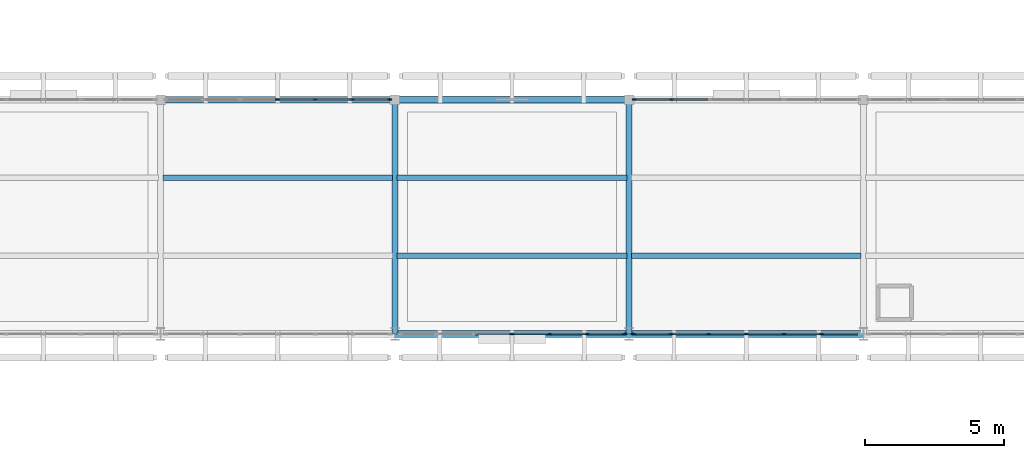
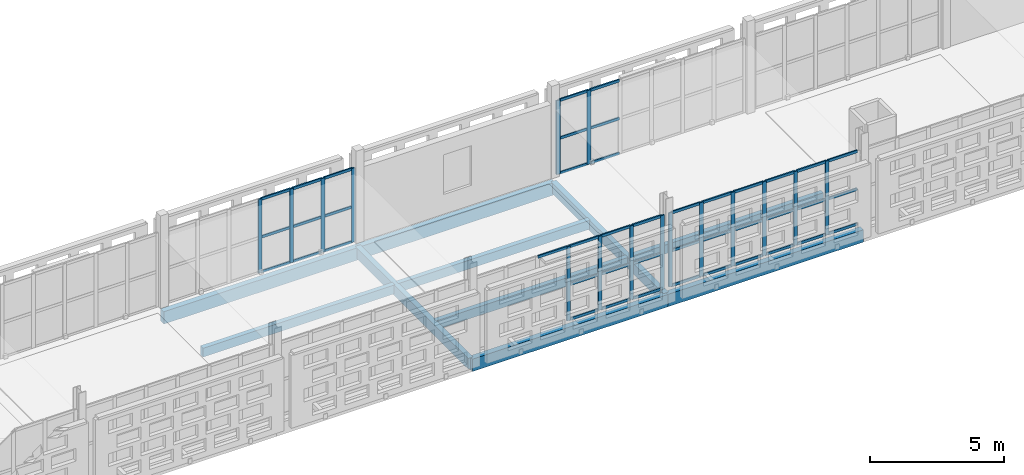
# One storey, part 54 of 140: 59 members, 10 beams, 4 elements without a shape of their own.
"""IFC4 building model written with IfcOpenShell, lengths in metres."""

from ifc_helpers import new_model, si_unit, direction, frame, origin, origin_2d, place, context, subcontext, project, spatial, rectangle, extrude, material, layer, layer_set, material_profile, profile_set, type_object, element, aggregate, save


model = new_model("IFC4")

# Units and contexts
model_context = context("Model", 3, precision=1e-05, world=origin(), true_north=direction((0.0, 1.0)))
body_context = subcontext(model_context, "Body", "Model", "MODEL_VIEW")
ifc_project = project(units=[si_unit("LENGTHUNIT", "METRE"), si_unit("AREAUNIT", "SQUARE_METRE"), si_unit("VOLUMEUNIT", "CUBIC_METRE"), si_unit("PLANEANGLEUNIT", "RADIAN"), si_unit("MASSUNIT", "GRAM", prefix="KILO")], contexts=[model_context])

# Site, building, storey
site_placement = place(None, origin())
site = spatial("IfcSite", under=ifc_project, at=site_placement, CompositionType="ELEMENT")
building_placement = place(site_placement, origin())
building = spatial("IfcBuilding", under=site, at=building_placement, Name="Varnapada Polytechnic", CompositionType="ELEMENT")
storey_placement = place(building_placement, frame((0.0, 0.0, 13.800048828125)))
storey = spatial("IfcBuildingStorey", under=building, at=storey_placement, Name="L03", CompositionType="ELEMENT", Elevation=13.800048828125)

# Beams
ifc_material_1 = material(Name="Glulam GL32h", Category="wood")
ifc_material_profile_1 = material_profile(ifc_material_1, rectangle(XDim=0.199951171875, YDim=0.39990234375, at=origin_2d()), Name="GL 200x400")
ifc_profile_set_1 = profile_set([ifc_material_profile_1], Name="Glulam GL32h")
beam_type_1 = type_object("IfcBeamType", Name="Library/laboratory glulam floor joist GJ-01 (GL 200x400)", PredefinedType="JOIST", material=ifc_profile_set_1)
for number, where, z_axis, x_axis, name in (
    (1, (75.679931640625, 89.60009765625, -0.43994140625), (1.0, 0.0, 0.0), (0.0, 1.0, 0.0), "L03 floor joist 10/11.2"),
    (2, (84.080078125, 86.800048828125, -0.43994140625), (1.0, 0.0, 0.0), (0.0, 1.0, 0.0), "L03 floor joist 11/11.1"),
    (3, (84.080078125, 89.60009765625, -0.43994140625), (1.0, 0.0, 0.0), (0.0, 1.0, 0.0), "L03 floor joist 11/11.2"),
    (4, (92.47998046875, 86.800048828125, -0.43994140625), (1.0, 0.0, 0.0), (0.0, 1.0, 0.0), "L03 floor joist 12/11.1"),
):
    element("IfcBeam", number, at=place(storey_placement, frame(where, z_axis=z_axis, x_axis=x_axis)), inside=storey, type_object=beam_type_1, Name=name, PredefinedType="JOIST", context=body_context, shape_type="SweptSolid", body=[
        extrude(rectangle(XDim=0.199951171875, YDim=0.39990234375, at=origin_2d()), origin(), (0.0, 0.0, 1.0), 8.239990234375),
    ])

# Curtain wall, members
ifc_material_2 = material(Name="Double low-E laminated glass", Category="glass")
ifc_layer_1 = layer(ifc_material_2, 0.159912109375)
ifc_layer_set_1 = layer_set([ifc_layer_1], Name="Double low-E laminated glass")
curtain_wall_type_1 = type_object("IfcCurtainWallType", Name="Curtain Wall CW-02", PredefinedType="NOTDEFINED", material=ifc_layer_set_1)
curtain_wall_1_placement = place(storey_placement, origin())
curtain_wall_1 = element("IfcCurtainWall", 5, at=curtain_wall_1_placement, inside=storey, type_object=curtain_wall_type_1, Name="L03 unitised curtain wall CW-02 (237)", PredefinedType="NOTDEFINED")
ifc_material_3 = material(Name="Anodised aluminium", Category="aluminium")
ifc_material_profile_2 = material_profile(ifc_material_3, rectangle(XDim=0.06005859375, YDim=0.159912109375, at=origin_2d()), Name="ALU M60x160")
ifc_profile_set_2 = profile_set([ifc_material_profile_2], Name="Anodised aluminium")
member_type_1 = type_object("IfcMemberType", Name="Mullion M-01", PredefinedType="MULLION", material=ifc_profile_set_2)
member_1_placement = place(storey_placement, frame((79.800048828125, 92.39990234375, 0.0), z_axis=(0.0, 0.0, 1.0), x_axis=(0.0, 1.0, 0.0)))
member_1 = element("IfcMember", 6, at=member_1_placement, type_object=member_type_1, Name="CW-02 mullion 4", PredefinedType="MULLION", context=body_context, shape_type="SweptSolid", body=[
    extrude(rectangle(XDim=0.06005859375, YDim=0.159912109375, at=origin_2d()), origin(), (0.0, 0.0, 1.0), 3.35986328125),
])
member_2_placement = place(storey_placement, frame((81.143310546875, 92.39990234375, 0.0), z_axis=(0.0, 0.0, 1.0), x_axis=(0.0, 1.0, 0.0)))
member_2 = element("IfcMember", 7, at=member_2_placement, type_object=member_type_1, Name="CW-02 mullion 5", PredefinedType="MULLION", context=body_context, shape_type="SweptSolid", body=[
    extrude(rectangle(XDim=0.06005859375, YDim=0.159912109375, at=origin_2d()), origin(), (0.0, 0.0, 1.0), 3.35986328125),
])
member_3_placement = place(storey_placement, frame((82.486572265625, 92.39990234375, 0.0), z_axis=(0.0, 0.0, 1.0), x_axis=(0.0, 1.0, 0.0)))
member_3 = element("IfcMember", 8, at=member_3_placement, type_object=member_type_1, Name="CW-02 mullion 6", PredefinedType="MULLION", context=body_context, shape_type="SweptSolid", body=[
    extrude(rectangle(XDim=0.06005859375, YDim=0.159912109375, at=origin_2d()), origin(), (0.0, 0.0, 1.0), 3.35986328125),
])
member_4_placement = place(storey_placement, frame((83.800048828125, 92.39990234375, 0.0), z_axis=(0.0, 0.0, 1.0), x_axis=(0.0, 1.0, 0.0)))
member_4 = element("IfcMember", 9, at=member_4_placement, type_object=member_type_1, Name="CW-02 mullion 7", PredefinedType="MULLION", context=body_context, shape_type="SweptSolid", body=[
    extrude(rectangle(XDim=0.06005859375, YDim=0.159912109375, at=origin_2d()), origin(), (0.0, 0.0, 1.0), 3.35986328125),
])

ifc_layer_2 = layer(ifc_material_2, 0.159912109375)
ifc_layer_set_2 = layer_set([ifc_layer_2], Name="Double low-E laminated glass")
curtain_wall_type_2 = type_object("IfcCurtainWallType", Name="Curtain Wall CW-01", PredefinedType="NOTDEFINED", material=ifc_layer_set_2)
curtain_wall_2_placement = place(storey_placement, origin())
curtain_wall_2 = element("IfcCurtainWall", 10, at=curtain_wall_2_placement, inside=storey, type_object=curtain_wall_type_2, Name="L03 unitised curtain wall CW-01 (238)", PredefinedType="NOTDEFINED")
member_5_placement = place(storey_placement, frame((92.219970703125, 84.0, 0.0), z_axis=(0.0, 0.0, 1.0), x_axis=(0.0, -1.0, 0.0)))
member_5 = element("IfcMember", 11, at=member_5_placement, type_object=member_type_1, Name="CW-01 mullion 1", PredefinedType="MULLION", context=body_context, shape_type="SweptSolid", body=[
    extrude(rectangle(XDim=0.06005859375, YDim=0.159912109375, at=origin_2d()), origin(), (0.0, 0.0, 1.0), 3.35986328125),
])
member_6_placement = place(storey_placement, frame((90.89990234375, 84.0, 0.0), z_axis=(0.0, 0.0, 1.0), x_axis=(0.0, -1.0, 0.0)))
member_6 = element("IfcMember", 12, at=member_6_placement, type_object=member_type_1, Name="CW-01 mullion 2", PredefinedType="MULLION", context=body_context, shape_type="SweptSolid", body=[
    extrude(rectangle(XDim=0.06005859375, YDim=0.159912109375, at=origin_2d()), origin(), (0.0, 0.0, 1.0), 3.35986328125),
])
member_7_placement = place(storey_placement, frame((89.550048828125, 84.0, 0.0), z_axis=(0.0, 0.0, 1.0), x_axis=(0.0, -1.0, 0.0)))
member_7 = element("IfcMember", 13, at=member_7_placement, type_object=member_type_1, Name="CW-01 mullion 3", PredefinedType="MULLION", context=body_context, shape_type="SweptSolid", body=[
    extrude(rectangle(XDim=0.06005859375, YDim=0.159912109375, at=origin_2d()), origin(), (0.0, 0.0, 1.0), 3.35986328125),
])
member_8_placement = place(storey_placement, frame((88.199951171875, 84.0, 0.0), z_axis=(0.0, 0.0, 1.0), x_axis=(0.0, -1.0, 0.0)))
member_8 = element("IfcMember", 14, at=member_8_placement, type_object=member_type_1, Name="CW-01 mullion 4", PredefinedType="MULLION", context=body_context, shape_type="SweptSolid", body=[
    extrude(rectangle(XDim=0.06005859375, YDim=0.159912109375, at=origin_2d()), origin(), (0.0, 0.0, 1.0), 3.35986328125),
])

curtain_wall_3_placement = place(storey_placement, origin())
curtain_wall_3 = element("IfcCurtainWall", 15, at=curtain_wall_3_placement, inside=storey, type_object=curtain_wall_type_2, Name="L03 unitised curtain wall CW-01 (239)", PredefinedType="NOTDEFINED")
member_9_placement = place(storey_placement, frame((99.300048828125, 84.0, 0.0), z_axis=(0.0, 0.0, 1.0), x_axis=(0.0, -1.0, 0.0)))
member_9 = element("IfcMember", 16, at=member_9_placement, type_object=member_type_1, Name="CW-01 mullion 2", PredefinedType="MULLION", context=body_context, shape_type="SweptSolid", body=[
    extrude(rectangle(XDim=0.06005859375, YDim=0.159912109375, at=origin_2d()), origin(), (0.0, 0.0, 1.0), 3.35986328125),
])
member_10_placement = place(storey_placement, frame((97.949951171875, 84.0, 0.0), z_axis=(0.0, 0.0, 1.0), x_axis=(0.0, -1.0, 0.0)))
member_10 = element("IfcMember", 17, at=member_10_placement, type_object=member_type_1, Name="CW-01 mullion 3", PredefinedType="MULLION", context=body_context, shape_type="SweptSolid", body=[
    extrude(rectangle(XDim=0.06005859375, YDim=0.159912109375, at=origin_2d()), origin(), (0.0, 0.0, 1.0), 3.35986328125),
])
member_11_placement = place(storey_placement, frame((96.60009765625, 84.0, 0.0), z_axis=(0.0, 0.0, 1.0), x_axis=(0.0, -1.0, 0.0)))
member_11 = element("IfcMember", 18, at=member_11_placement, type_object=member_type_1, Name="CW-01 mullion 4", PredefinedType="MULLION", context=body_context, shape_type="SweptSolid", body=[
    extrude(rectangle(XDim=0.06005859375, YDim=0.159912109375, at=origin_2d()), origin(), (0.0, 0.0, 1.0), 3.35986328125),
])
member_12_placement = place(storey_placement, frame((95.25, 84.0, 0.0), z_axis=(0.0, 0.0, 1.0), x_axis=(0.0, -1.0, 0.0)))
member_12 = element("IfcMember", 19, at=member_12_placement, type_object=member_type_1, Name="CW-01 mullion 5", PredefinedType="MULLION", context=body_context, shape_type="SweptSolid", body=[
    extrude(rectangle(XDim=0.06005859375, YDim=0.159912109375, at=origin_2d()), origin(), (0.0, 0.0, 1.0), 3.35986328125),
])
member_13_placement = place(storey_placement, frame((93.89990234375, 84.0, 0.0), z_axis=(0.0, 0.0, 1.0), x_axis=(0.0, -1.0, 0.0)))
member_13 = element("IfcMember", 20, at=member_13_placement, type_object=member_type_1, Name="CW-01 mullion 6", PredefinedType="MULLION", context=body_context, shape_type="SweptSolid", body=[
    extrude(rectangle(XDim=0.06005859375, YDim=0.159912109375, at=origin_2d()), origin(), (0.0, 0.0, 1.0), 3.35986328125),
])
member_14_placement = place(storey_placement, frame((92.580078125, 84.0, 0.0), z_axis=(0.0, 0.0, 1.0), x_axis=(0.0, -1.0, 0.0)))
member_14 = element("IfcMember", 21, at=member_14_placement, type_object=member_type_1, Name="CW-01 mullion 7", PredefinedType="MULLION", context=body_context, shape_type="SweptSolid", body=[
    extrude(rectangle(XDim=0.06005859375, YDim=0.159912109375, at=origin_2d()), origin(), (0.0, 0.0, 1.0), 3.35986328125),
])

curtain_wall_4_placement = place(storey_placement, origin())
curtain_wall_4 = element("IfcCurtainWall", 22, at=curtain_wall_4_placement, inside=storey, type_object=curtain_wall_type_1, Name="L03 unitised curtain wall CW-02 (240)", PredefinedType="NOTDEFINED")
member_15_placement = place(storey_placement, frame((92.60009765625, 92.39990234375, 0.0), z_axis=(0.0, 0.0, 1.0), x_axis=(0.0, 1.0, 0.0)))
member_15 = element("IfcMember", 23, at=member_15_placement, type_object=member_type_1, Name="CW-02 mullion 1", PredefinedType="MULLION", context=body_context, shape_type="SweptSolid", body=[
    extrude(rectangle(XDim=0.06005859375, YDim=0.159912109375, at=origin_2d()), origin(), (0.0, 0.0, 1.0), 3.35986328125),
])
member_16_placement = place(storey_placement, frame((93.913330078125, 92.39990234375, 0.0), z_axis=(0.0, 0.0, 1.0), x_axis=(0.0, 1.0, 0.0)))
member_16 = element("IfcMember", 24, at=member_16_placement, type_object=member_type_1, Name="CW-02 mullion 2", PredefinedType="MULLION", context=body_context, shape_type="SweptSolid", body=[
    extrude(rectangle(XDim=0.06005859375, YDim=0.159912109375, at=origin_2d()), origin(), (0.0, 0.0, 1.0), 3.35986328125),
])

# Beams
ifc_material_profile_3 = material_profile(ifc_material_1, rectangle(XDim=0.239990234375, YDim=0.56005859375, at=origin_2d()), Name="GL 240x560")
ifc_profile_set_3 = profile_set([ifc_material_profile_3], Name="Glulam GL32h")
beam_type_2 = type_object("IfcBeamType", Name="Perimeter glulam spandrel beam SP-02 (GL 240x560)", PredefinedType="SPANDREL", material=ifc_profile_set_3)
for number, where, z_axis, x_axis, name in (
    (25, (75.60009765625, 92.39990234375, -0.52001953125), (1.0, 0.0, 0.0), (0.0, 1.0, 0.0), "L03 beam X 10-11 at Y12"),
    (26, (84.0, 84.0, -0.52001953125), (1.0, 0.0, 0.0), (0.0, 1.0, 0.0), "L03 beam X 11-12 at Y11"),
    (27, (84.0, 92.39990234375, -0.52001953125), (1.0, 0.0, 0.0), (0.0, 1.0, 0.0), "L03 beam X 11-12 at Y12"),
):
    element("IfcBeam", number, at=place(storey_placement, frame(where, z_axis=z_axis, x_axis=x_axis)), inside=storey, type_object=beam_type_2, Name=name, PredefinedType="SPANDREL", context=body_context, shape_type="SweptSolid", body=[
        extrude(rectangle(XDim=0.239990234375, YDim=0.56005859375, at=origin_2d()), origin(), (0.0, 0.0, 1.0), 8.39990234375),
    ])
beam_placement = place(storey_placement, frame((92.39990234375, 84.0, -0.52001953125), z_axis=(1.0, 0.0, 0.0), x_axis=(0.0, 1.0, 0.0)))
element("IfcBeam", 28, at=beam_placement, inside=storey, type_object=beam_type_2, Name="L03 beam X 12-13 at Y11", PredefinedType="SPANDREL", context=body_context, shape_type="SweptSolid", body=[
    extrude(rectangle(XDim=0.239990234375, YDim=0.56005859375, at=origin_2d()), origin(), (0.0, 0.0, 1.0), 8.400146484375),
])

# Member
ifc_material_profile_4 = material_profile(ifc_material_3, rectangle(XDim=0.06005859375, YDim=0.1201171875, at=origin_2d()), Name="ALU T60x120")
ifc_profile_set_4 = profile_set([ifc_material_profile_4], Name="Anodised aluminium")
member_type_2 = type_object("IfcMemberType", Name="Transom T-01", PredefinedType="USERDEFINED", material=ifc_profile_set_4)
member_17_placement = place(storey_placement, frame((79.830078125, 92.39990234375, 0.030029296875), z_axis=(1.0, 0.0, 0.0), x_axis=(0.0, 1.0, 0.0)))
member_17 = element("IfcMember", 29, at=member_17_placement, type_object=member_type_2, Name="CW-02 transom 4.1", ObjectType="TRANSOM", PredefinedType="USERDEFINED", context=body_context, shape_type="SweptSolid", body=[
    extrude(rectangle(XDim=0.06005859375, YDim=0.1201171875, at=origin_2d()), origin(), (0.0, 0.0, 1.0), 1.283203125),
])

member_18_placement = place(storey_placement, frame((79.830078125, 92.39990234375, 1.61279296875), z_axis=(1.0, 0.0, 0.0), x_axis=(0.0, 1.0, 0.0)))
member_18 = element("IfcMember", 30, at=member_18_placement, type_object=member_type_2, Name="CW-02 transom 4.2", ObjectType="TRANSOM", PredefinedType="USERDEFINED", context=body_context, shape_type="SweptSolid", body=[
    extrude(rectangle(XDim=0.06005859375, YDim=0.1201171875, at=origin_2d()), origin(), (0.0, 0.0, 1.0), 1.283203125),
])

member_19_placement = place(storey_placement, frame((79.830078125, 92.39990234375, 3.329833984375), z_axis=(1.0, 0.0, 0.0), x_axis=(0.0, 1.0, 0.0)))
member_19 = element("IfcMember", 31, at=member_19_placement, type_object=member_type_2, Name="CW-02 transom 4.3", ObjectType="TRANSOM", PredefinedType="USERDEFINED", context=body_context, shape_type="SweptSolid", body=[
    extrude(rectangle(XDim=0.06005859375, YDim=0.1201171875, at=origin_2d()), origin(), (0.0, 0.0, 1.0), 1.283203125),
])

member_20_placement = place(storey_placement, frame((81.17333984375, 92.39990234375, 0.030029296875), z_axis=(1.0, 0.0, 0.0), x_axis=(0.0, 1.0, 0.0)))
member_20 = element("IfcMember", 32, at=member_20_placement, type_object=member_type_2, Name="CW-02 transom 5.1", ObjectType="TRANSOM", PredefinedType="USERDEFINED", context=body_context, shape_type="SweptSolid", body=[
    extrude(rectangle(XDim=0.06005859375, YDim=0.1201171875, at=origin_2d()), origin(), (0.0, 0.0, 1.0), 1.283447265625),
])

member_21_placement = place(storey_placement, frame((81.17333984375, 92.39990234375, 1.61279296875), z_axis=(1.0, 0.0, 0.0), x_axis=(0.0, 1.0, 0.0)))
member_21 = element("IfcMember", 33, at=member_21_placement, type_object=member_type_2, Name="CW-02 transom 5.2", ObjectType="TRANSOM", PredefinedType="USERDEFINED", context=body_context, shape_type="SweptSolid", body=[
    extrude(rectangle(XDim=0.06005859375, YDim=0.1201171875, at=origin_2d()), origin(), (0.0, 0.0, 1.0), 1.283447265625),
])

member_22_placement = place(storey_placement, frame((81.17333984375, 92.39990234375, 3.329833984375), z_axis=(1.0, 0.0, 0.0), x_axis=(0.0, 1.0, 0.0)))
member_22 = element("IfcMember", 34, at=member_22_placement, type_object=member_type_2, Name="CW-02 transom 5.3", ObjectType="TRANSOM", PredefinedType="USERDEFINED", context=body_context, shape_type="SweptSolid", body=[
    extrude(rectangle(XDim=0.06005859375, YDim=0.1201171875, at=origin_2d()), origin(), (0.0, 0.0, 1.0), 1.283447265625),
])

member_23_placement = place(storey_placement, frame((82.5166015625, 92.39990234375, 0.030029296875), z_axis=(1.0, 0.0, 0.0), x_axis=(0.0, 1.0, 0.0)))
member_23 = element("IfcMember", 35, at=member_23_placement, type_object=member_type_2, Name="CW-02 transom 6.1", ObjectType="TRANSOM", PredefinedType="USERDEFINED", context=body_context, shape_type="SweptSolid", body=[
    extrude(rectangle(XDim=0.06005859375, YDim=0.1201171875, at=origin_2d()), origin(), (0.0, 0.0, 1.0), 1.25341796875),
])

member_24_placement = place(storey_placement, frame((82.5166015625, 92.39990234375, 1.61279296875), z_axis=(1.0, 0.0, 0.0), x_axis=(0.0, 1.0, 0.0)))
member_24 = element("IfcMember", 36, at=member_24_placement, type_object=member_type_2, Name="CW-02 transom 6.2", ObjectType="TRANSOM", PredefinedType="USERDEFINED", context=body_context, shape_type="SweptSolid", body=[
    extrude(rectangle(XDim=0.06005859375, YDim=0.1201171875, at=origin_2d()), origin(), (0.0, 0.0, 1.0), 1.25341796875),
])

member_25_placement = place(storey_placement, frame((82.5166015625, 92.39990234375, 3.329833984375), z_axis=(1.0, 0.0, 0.0), x_axis=(0.0, 1.0, 0.0)))
member_25 = element("IfcMember", 37, at=member_25_placement, type_object=member_type_2, Name="CW-02 transom 6.3", ObjectType="TRANSOM", PredefinedType="USERDEFINED", context=body_context, shape_type="SweptSolid", body=[
    extrude(rectangle(XDim=0.06005859375, YDim=0.1201171875, at=origin_2d()), origin(), (0.0, 0.0, 1.0), 1.25341796875),
])

aggregate(curtain_wall_1, [member_1, member_2, member_3, member_4, member_17, member_18, member_19, member_20, member_21, member_22, member_23, member_24, member_25])

member_26_placement = place(storey_placement, frame((92.18994140625, 84.0, 0.030029296875), z_axis=(-1.0, 0.0, 0.0), x_axis=(0.0, -1.0, 0.0)))
member_26 = element("IfcMember", 38, at=member_26_placement, type_object=member_type_2, Name="CW-01 transom 1.1", ObjectType="TRANSOM", PredefinedType="USERDEFINED", context=body_context, shape_type="SweptSolid", body=[
    extrude(rectangle(XDim=0.06005859375, YDim=0.1201171875, at=origin_2d()), origin(), (0.0, 0.0, 1.0), 1.260009765625),
])

member_27_placement = place(storey_placement, frame((92.18994140625, 84.0, 1.61279296875), z_axis=(-1.0, 0.0, 0.0), x_axis=(0.0, -1.0, 0.0)))
member_27 = element("IfcMember", 39, at=member_27_placement, type_object=member_type_2, Name="CW-01 transom 1.2", ObjectType="TRANSOM", PredefinedType="USERDEFINED", context=body_context, shape_type="SweptSolid", body=[
    extrude(rectangle(XDim=0.06005859375, YDim=0.1201171875, at=origin_2d()), origin(), (0.0, 0.0, 1.0), 1.260009765625),
])

member_28_placement = place(storey_placement, frame((92.18994140625, 84.0, 3.329833984375), z_axis=(-1.0, 0.0, 0.0), x_axis=(0.0, -1.0, 0.0)))
member_28 = element("IfcMember", 40, at=member_28_placement, type_object=member_type_2, Name="CW-01 transom 1.3", ObjectType="TRANSOM", PredefinedType="USERDEFINED", context=body_context, shape_type="SweptSolid", body=[
    extrude(rectangle(XDim=0.06005859375, YDim=0.1201171875, at=origin_2d()), origin(), (0.0, 0.0, 1.0), 1.260009765625),
])

member_29_placement = place(storey_placement, frame((90.8701171875, 84.0, 0.030029296875), z_axis=(-1.0, 0.0, 0.0), x_axis=(0.0, -1.0, 0.0)))
member_29 = element("IfcMember", 41, at=member_29_placement, type_object=member_type_2, Name="CW-01 transom 2.1", ObjectType="TRANSOM", PredefinedType="USERDEFINED", context=body_context, shape_type="SweptSolid", body=[
    extrude(rectangle(XDim=0.06005859375, YDim=0.1201171875, at=origin_2d()), origin(), (0.0, 0.0, 1.0), 1.2900390625),
])

member_30_placement = place(storey_placement, frame((90.8701171875, 84.0, 1.61279296875), z_axis=(-1.0, 0.0, 0.0), x_axis=(0.0, -1.0, 0.0)))
member_30 = element("IfcMember", 42, at=member_30_placement, type_object=member_type_2, Name="CW-01 transom 2.2", ObjectType="TRANSOM", PredefinedType="USERDEFINED", context=body_context, shape_type="SweptSolid", body=[
    extrude(rectangle(XDim=0.06005859375, YDim=0.1201171875, at=origin_2d()), origin(), (0.0, 0.0, 1.0), 1.2900390625),
])

member_31_placement = place(storey_placement, frame((90.8701171875, 84.0, 3.329833984375), z_axis=(-1.0, 0.0, 0.0), x_axis=(0.0, -1.0, 0.0)))
member_31 = element("IfcMember", 43, at=member_31_placement, type_object=member_type_2, Name="CW-01 transom 2.3", ObjectType="TRANSOM", PredefinedType="USERDEFINED", context=body_context, shape_type="SweptSolid", body=[
    extrude(rectangle(XDim=0.06005859375, YDim=0.1201171875, at=origin_2d()), origin(), (0.0, 0.0, 1.0), 1.2900390625),
])

member_32_placement = place(storey_placement, frame((89.52001953125, 84.0, 0.030029296875), z_axis=(-1.0, 0.0, 0.0), x_axis=(0.0, -1.0, 0.0)))
member_32 = element("IfcMember", 44, at=member_32_placement, type_object=member_type_2, Name="CW-01 transom 3.1", ObjectType="TRANSOM", PredefinedType="USERDEFINED", context=body_context, shape_type="SweptSolid", body=[
    extrude(rectangle(XDim=0.06005859375, YDim=0.1201171875, at=origin_2d()), origin(), (0.0, 0.0, 1.0), 1.2900390625),
])

member_33_placement = place(storey_placement, frame((89.52001953125, 84.0, 1.61279296875), z_axis=(-1.0, 0.0, 0.0), x_axis=(0.0, -1.0, 0.0)))
member_33 = element("IfcMember", 45, at=member_33_placement, type_object=member_type_2, Name="CW-01 transom 3.2", ObjectType="TRANSOM", PredefinedType="USERDEFINED", context=body_context, shape_type="SweptSolid", body=[
    extrude(rectangle(XDim=0.06005859375, YDim=0.1201171875, at=origin_2d()), origin(), (0.0, 0.0, 1.0), 1.2900390625),
])

member_34_placement = place(storey_placement, frame((89.52001953125, 84.0, 3.329833984375), z_axis=(-1.0, 0.0, 0.0), x_axis=(0.0, -1.0, 0.0)))
member_34 = element("IfcMember", 46, at=member_34_placement, type_object=member_type_2, Name="CW-01 transom 3.3", ObjectType="TRANSOM", PredefinedType="USERDEFINED", context=body_context, shape_type="SweptSolid", body=[
    extrude(rectangle(XDim=0.06005859375, YDim=0.1201171875, at=origin_2d()), origin(), (0.0, 0.0, 1.0), 1.2900390625),
])

member_35_placement = place(storey_placement, frame((88.169921875, 84.0, 3.329833984375), z_axis=(-1.0, 0.0, 0.0), x_axis=(0.0, -1.0, 0.0)))
member_35 = element("IfcMember", 47, at=member_35_placement, type_object=member_type_2, Name="CW-01 transom 4.3", ObjectType="TRANSOM", PredefinedType="USERDEFINED", context=body_context, shape_type="SweptSolid", body=[
    extrude(rectangle(XDim=0.06005859375, YDim=0.1201171875, at=origin_2d()), origin(), (0.0, 0.0, 1.0), 1.2900390625),
])

aggregate(curtain_wall_2, [member_5, member_6, member_7, member_8, member_26, member_27, member_28, member_29, member_30, member_31, member_32, member_33, member_34, member_35])

member_36_placement = place(storey_placement, frame((100.590087890625, 84.0, 0.030029296875), z_axis=(-1.0, 0.0, 0.0), x_axis=(0.0, -1.0, 0.0)))
member_36 = element("IfcMember", 48, at=member_36_placement, type_object=member_type_2, Name="CW-01 transom 1.1", ObjectType="TRANSOM", PredefinedType="USERDEFINED", context=body_context, shape_type="SweptSolid", body=[
    extrude(rectangle(XDim=0.06005859375, YDim=0.1201171875, at=origin_2d()), origin(), (0.0, 0.0, 1.0), 1.260009765625),
])

member_37_placement = place(storey_placement, frame((100.590087890625, 84.0, 1.61279296875), z_axis=(-1.0, 0.0, 0.0), x_axis=(0.0, -1.0, 0.0)))
member_37 = element("IfcMember", 49, at=member_37_placement, type_object=member_type_2, Name="CW-01 transom 1.2", ObjectType="TRANSOM", PredefinedType="USERDEFINED", context=body_context, shape_type="SweptSolid", body=[
    extrude(rectangle(XDim=0.06005859375, YDim=0.1201171875, at=origin_2d()), origin(), (0.0, 0.0, 1.0), 1.260009765625),
])

member_38_placement = place(storey_placement, frame((100.590087890625, 84.0, 3.329833984375), z_axis=(-1.0, 0.0, 0.0), x_axis=(0.0, -1.0, 0.0)))
member_38 = element("IfcMember", 50, at=member_38_placement, type_object=member_type_2, Name="CW-01 transom 1.3", ObjectType="TRANSOM", PredefinedType="USERDEFINED", context=body_context, shape_type="SweptSolid", body=[
    extrude(rectangle(XDim=0.06005859375, YDim=0.1201171875, at=origin_2d()), origin(), (0.0, 0.0, 1.0), 1.260009765625),
])

member_39_placement = place(storey_placement, frame((99.27001953125, 84.0, 0.030029296875), z_axis=(-1.0, 0.0, 0.0), x_axis=(0.0, -1.0, 0.0)))
member_39 = element("IfcMember", 51, at=member_39_placement, type_object=member_type_2, Name="CW-01 transom 2.1", ObjectType="TRANSOM", PredefinedType="USERDEFINED", context=body_context, shape_type="SweptSolid", body=[
    extrude(rectangle(XDim=0.06005859375, YDim=0.1201171875, at=origin_2d()), origin(), (0.0, 0.0, 1.0), 1.2900390625),
])

member_40_placement = place(storey_placement, frame((99.27001953125, 84.0, 1.61279296875), z_axis=(-1.0, 0.0, 0.0), x_axis=(0.0, -1.0, 0.0)))
member_40 = element("IfcMember", 52, at=member_40_placement, type_object=member_type_2, Name="CW-01 transom 2.2", ObjectType="TRANSOM", PredefinedType="USERDEFINED", context=body_context, shape_type="SweptSolid", body=[
    extrude(rectangle(XDim=0.06005859375, YDim=0.1201171875, at=origin_2d()), origin(), (0.0, 0.0, 1.0), 1.2900390625),
])

member_41_placement = place(storey_placement, frame((99.27001953125, 84.0, 3.329833984375), z_axis=(-1.0, 0.0, 0.0), x_axis=(0.0, -1.0, 0.0)))
member_41 = element("IfcMember", 53, at=member_41_placement, type_object=member_type_2, Name="CW-01 transom 2.3", ObjectType="TRANSOM", PredefinedType="USERDEFINED", context=body_context, shape_type="SweptSolid", body=[
    extrude(rectangle(XDim=0.06005859375, YDim=0.1201171875, at=origin_2d()), origin(), (0.0, 0.0, 1.0), 1.2900390625),
])

member_42_placement = place(storey_placement, frame((97.919921875, 84.0, 0.030029296875), z_axis=(-1.0, 0.0, 0.0), x_axis=(0.0, -1.0, 0.0)))
member_42 = element("IfcMember", 54, at=member_42_placement, type_object=member_type_2, Name="CW-01 transom 3.1", ObjectType="TRANSOM", PredefinedType="USERDEFINED", context=body_context, shape_type="SweptSolid", body=[
    extrude(rectangle(XDim=0.06005859375, YDim=0.1201171875, at=origin_2d()), origin(), (0.0, 0.0, 1.0), 1.2900390625),
])

member_43_placement = place(storey_placement, frame((97.919921875, 84.0, 1.61279296875), z_axis=(-1.0, 0.0, 0.0), x_axis=(0.0, -1.0, 0.0)))
member_43 = element("IfcMember", 55, at=member_43_placement, type_object=member_type_2, Name="CW-01 transom 3.2", ObjectType="TRANSOM", PredefinedType="USERDEFINED", context=body_context, shape_type="SweptSolid", body=[
    extrude(rectangle(XDim=0.06005859375, YDim=0.1201171875, at=origin_2d()), origin(), (0.0, 0.0, 1.0), 1.2900390625),
])

member_44_placement = place(storey_placement, frame((97.919921875, 84.0, 3.329833984375), z_axis=(-1.0, 0.0, 0.0), x_axis=(0.0, -1.0, 0.0)))
member_44 = element("IfcMember", 56, at=member_44_placement, type_object=member_type_2, Name="CW-01 transom 3.3", ObjectType="TRANSOM", PredefinedType="USERDEFINED", context=body_context, shape_type="SweptSolid", body=[
    extrude(rectangle(XDim=0.06005859375, YDim=0.1201171875, at=origin_2d()), origin(), (0.0, 0.0, 1.0), 1.2900390625),
])

member_45_placement = place(storey_placement, frame((96.570068359375, 84.0, 0.030029296875), z_axis=(-1.0, 0.0, 0.0), x_axis=(0.0, -1.0, 0.0)))
member_45 = element("IfcMember", 57, at=member_45_placement, type_object=member_type_2, Name="CW-01 transom 4.1", ObjectType="TRANSOM", PredefinedType="USERDEFINED", context=body_context, shape_type="SweptSolid", body=[
    extrude(rectangle(XDim=0.06005859375, YDim=0.1201171875, at=origin_2d()), origin(), (0.0, 0.0, 1.0), 1.2900390625),
])

member_46_placement = place(storey_placement, frame((96.570068359375, 84.0, 1.61279296875), z_axis=(-1.0, 0.0, 0.0), x_axis=(0.0, -1.0, 0.0)))
member_46 = element("IfcMember", 58, at=member_46_placement, type_object=member_type_2, Name="CW-01 transom 4.2", ObjectType="TRANSOM", PredefinedType="USERDEFINED", context=body_context, shape_type="SweptSolid", body=[
    extrude(rectangle(XDim=0.06005859375, YDim=0.1201171875, at=origin_2d()), origin(), (0.0, 0.0, 1.0), 1.2900390625),
])

member_47_placement = place(storey_placement, frame((96.570068359375, 84.0, 3.329833984375), z_axis=(-1.0, 0.0, 0.0), x_axis=(0.0, -1.0, 0.0)))
member_47 = element("IfcMember", 59, at=member_47_placement, type_object=member_type_2, Name="CW-01 transom 4.3", ObjectType="TRANSOM", PredefinedType="USERDEFINED", context=body_context, shape_type="SweptSolid", body=[
    extrude(rectangle(XDim=0.06005859375, YDim=0.1201171875, at=origin_2d()), origin(), (0.0, 0.0, 1.0), 1.2900390625),
])

member_48_placement = place(storey_placement, frame((95.219970703125, 84.0, 0.030029296875), z_axis=(-1.0, 0.0, 0.0), x_axis=(0.0, -1.0, 0.0)))
member_48 = element("IfcMember", 60, at=member_48_placement, type_object=member_type_2, Name="CW-01 transom 5.1", ObjectType="TRANSOM", PredefinedType="USERDEFINED", context=body_context, shape_type="SweptSolid", body=[
    extrude(rectangle(XDim=0.06005859375, YDim=0.1201171875, at=origin_2d()), origin(), (0.0, 0.0, 1.0), 1.2900390625),
])

member_49_placement = place(storey_placement, frame((95.219970703125, 84.0, 1.61279296875), z_axis=(-1.0, 0.0, 0.0), x_axis=(0.0, -1.0, 0.0)))
member_49 = element("IfcMember", 61, at=member_49_placement, type_object=member_type_2, Name="CW-01 transom 5.2", ObjectType="TRANSOM", PredefinedType="USERDEFINED", context=body_context, shape_type="SweptSolid", body=[
    extrude(rectangle(XDim=0.06005859375, YDim=0.1201171875, at=origin_2d()), origin(), (0.0, 0.0, 1.0), 1.2900390625),
])

member_50_placement = place(storey_placement, frame((95.219970703125, 84.0, 3.329833984375), z_axis=(-1.0, 0.0, 0.0), x_axis=(0.0, -1.0, 0.0)))
member_50 = element("IfcMember", 62, at=member_50_placement, type_object=member_type_2, Name="CW-01 transom 5.3", ObjectType="TRANSOM", PredefinedType="USERDEFINED", context=body_context, shape_type="SweptSolid", body=[
    extrude(rectangle(XDim=0.06005859375, YDim=0.1201171875, at=origin_2d()), origin(), (0.0, 0.0, 1.0), 1.2900390625),
])

member_51_placement = place(storey_placement, frame((93.8701171875, 84.0, 0.030029296875), z_axis=(-1.0, 0.0, 0.0), x_axis=(0.0, -1.0, 0.0)))
member_51 = element("IfcMember", 63, at=member_51_placement, type_object=member_type_2, Name="CW-01 transom 6.1", ObjectType="TRANSOM", PredefinedType="USERDEFINED", context=body_context, shape_type="SweptSolid", body=[
    extrude(rectangle(XDim=0.06005859375, YDim=0.1201171875, at=origin_2d()), origin(), (0.0, 0.0, 1.0), 1.260009765625),
])

member_52_placement = place(storey_placement, frame((93.8701171875, 84.0, 1.61279296875), z_axis=(-1.0, 0.0, 0.0), x_axis=(0.0, -1.0, 0.0)))
member_52 = element("IfcMember", 64, at=member_52_placement, type_object=member_type_2, Name="CW-01 transom 6.2", ObjectType="TRANSOM", PredefinedType="USERDEFINED", context=body_context, shape_type="SweptSolid", body=[
    extrude(rectangle(XDim=0.06005859375, YDim=0.1201171875, at=origin_2d()), origin(), (0.0, 0.0, 1.0), 1.260009765625),
])

member_53_placement = place(storey_placement, frame((93.8701171875, 84.0, 3.329833984375), z_axis=(-1.0, 0.0, 0.0), x_axis=(0.0, -1.0, 0.0)))
member_53 = element("IfcMember", 65, at=member_53_placement, type_object=member_type_2, Name="CW-01 transom 6.3", ObjectType="TRANSOM", PredefinedType="USERDEFINED", context=body_context, shape_type="SweptSolid", body=[
    extrude(rectangle(XDim=0.06005859375, YDim=0.1201171875, at=origin_2d()), origin(), (0.0, 0.0, 1.0), 1.260009765625),
])

aggregate(curtain_wall_3, [member_9, member_10, member_11, member_12, member_13, member_14, member_36, member_37, member_38, member_39, member_40, member_41, member_42, member_43, member_44, member_45, member_46, member_47, member_48, member_49, member_50, member_51, member_52, member_53])

member_54_placement = place(storey_placement, frame((92.6298828125, 92.39990234375, 0.030029296875), z_axis=(1.0, 0.0, 0.0), x_axis=(0.0, 1.0, 0.0)))
member_54 = element("IfcMember", 66, at=member_54_placement, type_object=member_type_2, Name="CW-02 transom 1.1", ObjectType="TRANSOM", PredefinedType="USERDEFINED", context=body_context, shape_type="SweptSolid", body=[
    extrude(rectangle(XDim=0.06005859375, YDim=0.1201171875, at=origin_2d()), origin(), (0.0, 0.0, 1.0), 1.25341796875),
])

member_55_placement = place(storey_placement, frame((92.6298828125, 92.39990234375, 1.61279296875), z_axis=(1.0, 0.0, 0.0), x_axis=(0.0, 1.0, 0.0)))
member_55 = element("IfcMember", 67, at=member_55_placement, type_object=member_type_2, Name="CW-02 transom 1.2", ObjectType="TRANSOM", PredefinedType="USERDEFINED", context=body_context, shape_type="SweptSolid", body=[
    extrude(rectangle(XDim=0.06005859375, YDim=0.1201171875, at=origin_2d()), origin(), (0.0, 0.0, 1.0), 1.25341796875),
])

member_56_placement = place(storey_placement, frame((92.6298828125, 92.39990234375, 3.329833984375), z_axis=(1.0, 0.0, 0.0), x_axis=(0.0, 1.0, 0.0)))
member_56 = element("IfcMember", 68, at=member_56_placement, type_object=member_type_2, Name="CW-02 transom 1.3", ObjectType="TRANSOM", PredefinedType="USERDEFINED", context=body_context, shape_type="SweptSolid", body=[
    extrude(rectangle(XDim=0.06005859375, YDim=0.1201171875, at=origin_2d()), origin(), (0.0, 0.0, 1.0), 1.25341796875),
])

member_57_placement = place(storey_placement, frame((93.943359375, 92.39990234375, 0.030029296875), z_axis=(1.0, 0.0, 0.0), x_axis=(0.0, 1.0, 0.0)))
member_57 = element("IfcMember", 69, at=member_57_placement, type_object=member_type_2, Name="CW-02 transom 2.1", ObjectType="TRANSOM", PredefinedType="USERDEFINED", context=body_context, shape_type="SweptSolid", body=[
    extrude(rectangle(XDim=0.06005859375, YDim=0.1201171875, at=origin_2d()), origin(), (0.0, 0.0, 1.0), 1.283203125),
])

member_58_placement = place(storey_placement, frame((93.943359375, 92.39990234375, 1.61279296875), z_axis=(1.0, 0.0, 0.0), x_axis=(0.0, 1.0, 0.0)))
member_58 = element("IfcMember", 70, at=member_58_placement, type_object=member_type_2, Name="CW-02 transom 2.2", ObjectType="TRANSOM", PredefinedType="USERDEFINED", context=body_context, shape_type="SweptSolid", body=[
    extrude(rectangle(XDim=0.06005859375, YDim=0.1201171875, at=origin_2d()), origin(), (0.0, 0.0, 1.0), 1.283203125),
])

member_59_placement = place(storey_placement, frame((93.943359375, 92.39990234375, 3.329833984375), z_axis=(1.0, 0.0, 0.0), x_axis=(0.0, 1.0, 0.0)))
member_59 = element("IfcMember", 71, at=member_59_placement, type_object=member_type_2, Name="CW-02 transom 2.3", ObjectType="TRANSOM", PredefinedType="USERDEFINED", context=body_context, shape_type="SweptSolid", body=[
    extrude(rectangle(XDim=0.06005859375, YDim=0.1201171875, at=origin_2d()), origin(), (0.0, 0.0, 1.0), 1.283203125),
])

aggregate(curtain_wall_4, [member_15, member_16, member_54, member_55, member_56, member_57, member_58, member_59])

# Beams
ifc_material_profile_5 = material_profile(ifc_material_1, rectangle(XDim=0.219970703125, YDim=0.47998046875, at=origin_2d()), Name="GL 220x480")
ifc_profile_set_5 = profile_set([ifc_material_profile_5], Name="Glulam GL32h")
beam_type_3 = type_object("IfcBeamType", Name="Upper floor glulam tie beam GB-11 (GL 220x480)", PredefinedType="BEAM", material=ifc_profile_set_5)
for number, where, z_axis, x_axis, name in (
    (72, (84.0, 84.0, -0.47998046875), (0.0, 1.0, 0.0), (-1.0, 0.0, 0.0), "L03 beam Y 11-12 at X11"),
    (73, (92.39990234375, 84.0, -0.47998046875), (0.0, 1.0, 0.0), (-1.0, 0.0, 0.0), "L03 beam Y 11-12 at X12"),
):
    element("IfcBeam", number, at=place(storey_placement, frame(where, z_axis=z_axis, x_axis=x_axis)), inside=storey, type_object=beam_type_3, Name=name, PredefinedType="BEAM", context=body_context, shape_type="SweptSolid", body=[
        extrude(rectangle(XDim=0.219970703125, YDim=0.47998046875, at=origin_2d()), origin(), (0.0, 0.0, 1.0), 8.39990234375),
    ])

save(model, "model.ifc")
